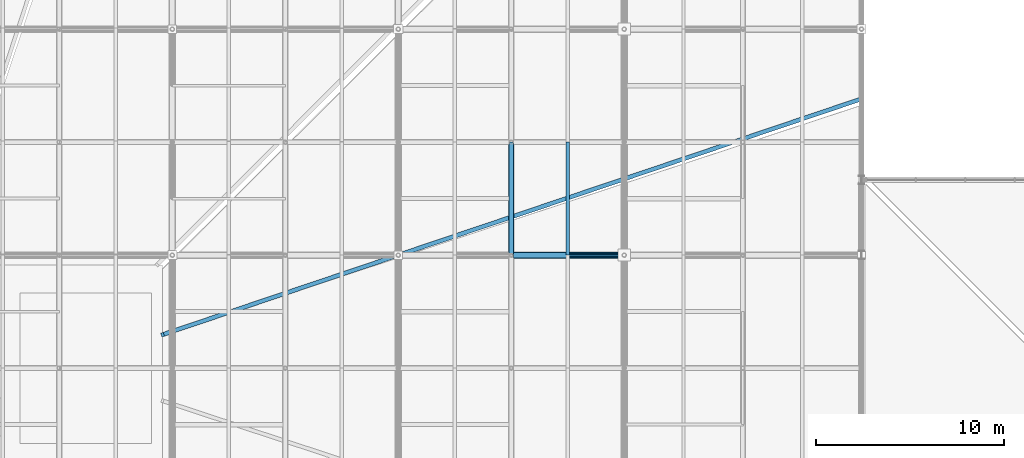
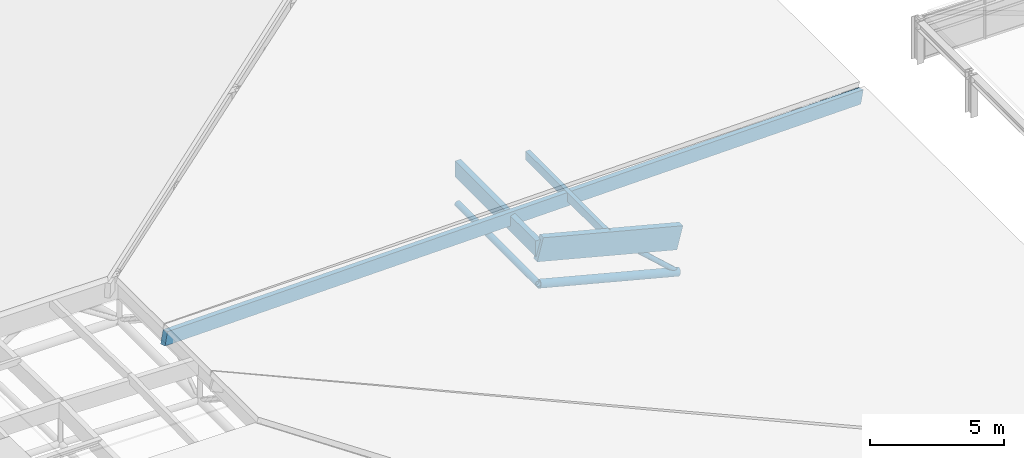
# One storey, part 42 of 80: 7 members.
"""IFC4 building model written with IfcOpenShell, lengths in metres."""

from ifc_helpers import new_model, si_unit, direction, frame, origin, origin_2d, place, context, subcontext, project, spatial, rectangle, hollow_circle, extrude, material, material_profile, profile_set, type_object, element, save


model = new_model("IFC4")

# Units and contexts
model_context = context("Model", 3, precision=1e-05, world=origin(), true_north=direction((0.0, 1.0)))
body_context = subcontext(model_context, "Body", "Model", "MODEL_VIEW")
ifc_project = project(units=[si_unit("LENGTHUNIT", "METRE"), si_unit("AREAUNIT", "SQUARE_METRE"), si_unit("VOLUMEUNIT", "CUBIC_METRE"), si_unit("PLANEANGLEUNIT", "RADIAN"), si_unit("MASSUNIT", "GRAM", prefix="KILO"), si_unit("THERMODYNAMICTEMPERATUREUNIT", "KELVIN"), si_unit("POWERUNIT", "WATT")], contexts=[model_context])

# Site, building, storey
site_placement = place(None, origin())
site = spatial("IfcSite", under=ifc_project, at=site_placement, CompositionType="ELEMENT")
building_placement = place(site_placement, origin())
building = spatial("IfcBuilding", under=site, at=building_placement, Name="Solmara Park Aquatics Centre", CompositionType="ELEMENT")
storey_placement = place(building_placement, frame((0.0, 0.0, 22.800048828125)))
storey = spatial("IfcBuildingStorey", under=building, at=storey_placement, Name="RF", CompositionType="ELEMENT", Elevation=22.800048828125)

# Members
ifc_material_1 = material(Name="Structural Steel S355", Category="steel")
ifc_material_profile_1 = material_profile(ifc_material_1, hollow_circle(Radius=0.109619140625, WallThickness=0.010009765625, at=origin_2d()), Name="CHS 219.1x10")
ifc_profile_set_1 = profile_set([ifc_material_profile_1], Name="Structural Steel S355")
member_type_1 = type_object("IfcMemberType", Name="STR-BRC-CHS219", PredefinedType="BRACE", material=ifc_profile_set_1)
member_1_placement = place(storey_placement, frame((96.60009765625, 48.60009765625, -11.141357421875), z_axis=(-0.741347083846, 0.0, 0.671121822974), x_axis=(0.0, -1.0, 0.0)))
element("IfcMember", 1, at=member_1_placement, inside=storey, type_object=member_type_1, Name="Roof Truss Web Diagonal X 1785", PredefinedType="BRACE", context=body_context, shape_type="SweptSolid", body=[
    extrude(hollow_circle(Radius=0.109619140625, WallThickness=0.010009765625, at=origin_2d()), origin(), (0.0, 0.0, 1.0), 4.046630859375),
])
ifc_material_profile_2 = material_profile(ifc_material_1, hollow_circle(Radius=0.136474609375, WallThickness=0.012451171875, at=origin_2d()), Name="CHS 273x12.5")
ifc_profile_set_2 = profile_set([ifc_material_profile_2], Name="Structural Steel S355")
member_type_2 = type_object("IfcMemberType", Name="STR-CHD-CHS273", PredefinedType="CHORD", material=ifc_profile_set_2)
member_2_placement = place(storey_placement, frame((90.60009765625, 48.60009765625, -9.58984375), z_axis=(0.0, 1.0, 0.0), x_axis=(-1.0, 0.0, 0.0)))
element("IfcMember", 2, at=member_2_placement, inside=storey, type_object=member_type_2, Name="Steel Roof Truss Bottom Chord Y 0978", PredefinedType="CHORD", context=body_context, shape_type="SweptSolid", body=[
    extrude(hollow_circle(Radius=0.136474609375, WallThickness=0.012451171875, at=origin_2d()), origin(), (0.0, 0.0, 1.0), 6.0),
])
ifc_material_profile_3 = material_profile(ifc_material_1, hollow_circle(Radius=0.177734375, WallThickness=0.01611328125, at=origin_2d()), Name="CHS 355.6x16")
ifc_profile_set_3 = profile_set([ifc_material_profile_3], Name="Structural Steel S355")
member_type_3 = type_object("IfcMemberType", Name="STR-CHD-CHS355", PredefinedType="CHORD", material=ifc_profile_set_3)
member_3_placement = place(storey_placement, frame((90.60009765625, 48.60009765625, -9.58984375), z_axis=(0.968155143395, 0.0, -0.250350990246), x_axis=(0.0, 1.0, 0.0)))
element("IfcMember", 3, at=member_3_placement, inside=storey, type_object=member_type_3, Name="Steel Roof Truss Bottom Chord X 0320", PredefinedType="CHORD", context=body_context, shape_type="SweptSolid", body=[
    extrude(hollow_circle(Radius=0.177734375, WallThickness=0.01611328125, at=origin_2d()), origin(), (0.0, 0.0, 1.0), 6.197265625),
])
ifc_material_2 = material(Name="Glulam Timber GL28h", Category="wood")
ifc_material_profile_4 = material_profile(ifc_material_2, rectangle(XDim=0.239990234375, YDim=0.719970703125, at=origin_2d()), Name="GL28h 240x720")
ifc_profile_set_4 = profile_set([ifc_material_profile_4], Name="Glulam Timber GL28h")
member_type_4 = type_object("IfcMemberType", Name="STR-CHD-GL240x720", PredefinedType="CHORD", material=ifc_profile_set_4)
member_4_placement = place(storey_placement, frame((90.60009765625, 48.60009765625, -7.9697265625), z_axis=(0.0, 1.0, 0.0), x_axis=(-1.0, 0.0, 0.0)))
element("IfcMember", 4, at=member_4_placement, inside=storey, type_object=member_type_4, Name="Glulam Roof Truss Top Chord Y 0977", PredefinedType="CHORD", context=body_context, shape_type="SweptSolid", body=[
    extrude(rectangle(XDim=0.239990234375, YDim=0.719970703125, at=origin_2d()), origin(), (0.0, 0.0, 1.0), 6.0),
])
ifc_material_profile_5 = material_profile(ifc_material_2, rectangle(XDim=0.280029296875, YDim=1.0400390625, at=origin_2d()), Name="GL28h 280x1040")
ifc_profile_set_5 = profile_set([ifc_material_profile_5], Name="Glulam Timber GL28h")
member_type_5 = type_object("IfcMemberType", Name="STR-CHD-GL280x1040", PredefinedType="CHORD", material=ifc_profile_set_5)
member_5_placement = place(storey_placement, frame((90.60009765625, 48.60009765625, -7.9697265625), z_axis=(0.968145594442, 0.0, -0.250387914969), x_axis=(0.0, 1.0, 0.0)))
element("IfcMember", 5, at=member_5_placement, inside=storey, type_object=member_type_5, Name="Glulam Roof Truss Top Chord X 0319", PredefinedType="CHORD", context=body_context, shape_type="SweptSolid", body=[
    extrude(rectangle(XDim=0.280029296875, YDim=1.0400390625, at=origin_2d()), origin(), (0.0, 0.0, 1.0), 6.197509765625),
])
ifc_material_profile_6 = material_profile(ifc_material_2, rectangle(XDim=0.179931640625, YDim=0.39990234375, at=origin_2d()), Name="GL28h 180x400")
ifc_profile_set_6 = profile_set([ifc_material_profile_6], Name="Glulam Timber GL28h")
member_type_6 = type_object("IfcMemberType", Name="STR-PRL-GL180x400", PredefinedType="PURLIN", material=ifc_profile_set_6)
member_6_placement = place(storey_placement, frame((93.60009765625, 48.60009765625, -8.425537109375), z_axis=(0.0, 1.0, 0.0), x_axis=(-1.0, 0.0, 0.0)))
element("IfcMember", 6, at=member_6_placement, inside=storey, type_object=member_type_6, Name="Glulam Roof Purlin 1773", PredefinedType="PURLIN", context=body_context, shape_type="SweptSolid", body=[
    extrude(rectangle(XDim=0.179931640625, YDim=0.39990234375, at=origin_2d()), origin(), (0.0, 0.0, 1.0), 6.0),
])
ifc_material_profile_7 = material_profile(ifc_material_2, rectangle(XDim=0.219970703125, YDim=0.60009765625, at=origin_2d()), Name="GL28h 220x600")
ifc_profile_set_7 = profile_set([ifc_material_profile_7], Name="Glulam Timber GL28h")
member_type_7 = type_object("IfcMemberType", Name="STR-RFT-GL220x600", PredefinedType="RAFTER", material=ifc_profile_set_7)
member_7_placement = place(storey_placement, frame((109.199951171875, 56.896240234375, -12.60009765625), z_axis=(-0.920309679392, -0.31045009074, 0.238014359182), x_axis=(0.319635903813, -0.947540441878, 0.0)))
element("IfcMember", 7, at=member_7_placement, inside=storey, type_object=member_type_7, Name="Glulam Hip Jack Rafter EAST-3", PredefinedType="RAFTER", context=body_context, shape_type="SweptSolid", body=[
    extrude(rectangle(XDim=0.219970703125, YDim=0.60009765625, at=origin_2d()), origin(), (0.0, 0.0, 1.0), 40.334228515625),
])

save(model, "model.ifc")
